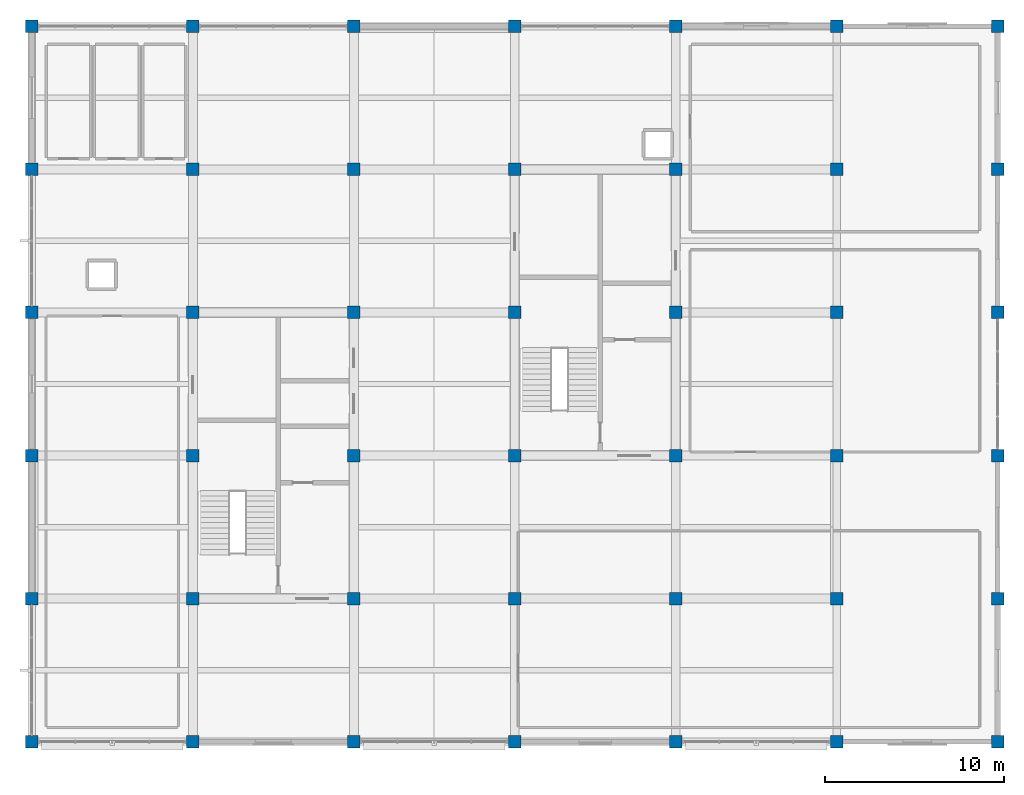
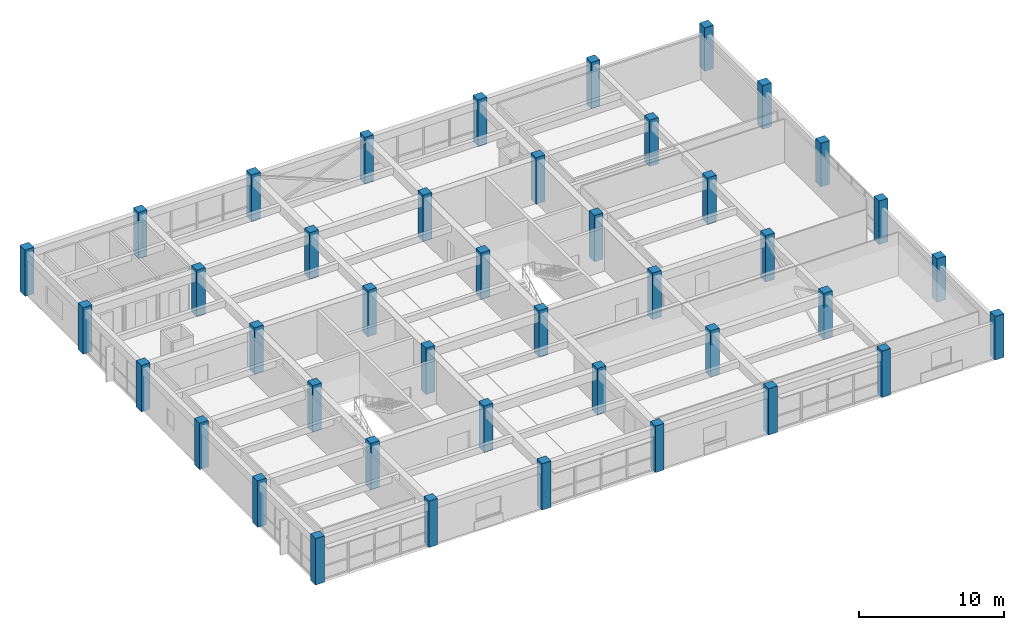
# One storey, part 1 of 13: 42 columns.
"""IFC4 building model written with IfcOpenShell, lengths in metres."""

from ifc_helpers import new_model, si_unit, direction, frame, origin, origin_2d, place, context, subcontext, project, spatial, rectangle, extrude, material, material_profile, profile_set, type_object, element, save


model = new_model("IFC4")

# Units and contexts
model_context = context("Model", 3, precision=1e-05, world=origin(), true_north=direction((0.0, 1.0)))
body_context = subcontext(model_context, "Body", "Model", "MODEL_VIEW")
ifc_project = project(units=[si_unit("LENGTHUNIT", "METRE"), si_unit("AREAUNIT", "SQUARE_METRE"), si_unit("VOLUMEUNIT", "CUBIC_METRE"), si_unit("PLANEANGLEUNIT", "RADIAN"), si_unit("MASSUNIT", "GRAM", prefix="KILO")], contexts=[model_context])

# Site, building, storey
site_placement = place(None, origin())
site = spatial("IfcSite", under=ifc_project, at=site_placement, CompositionType="ELEMENT")
building_placement = place(site_placement, origin())
building = spatial("IfcBuilding", under=site, at=building_placement, Name="Zaverband Oceanarium and Marine Research Institute", CompositionType="ELEMENT")
storey_placement = place(building_placement, frame((0.0, 0.0, 64.800048828125)))
storey = spatial("IfcBuildingStorey", under=building, at=storey_placement, Name="L16", CompositionType="ELEMENT", Elevation=64.800048828125)

# Columns
ifc_material = material(Name="Concrete C50/60", Category="concrete")
ifc_material_profile = material_profile(ifc_material, rectangle(XDim=0.699951171875, YDim=0.699951171875, at=origin_2d()), Name="RC700x700")
ifc_profile_set = profile_set([ifc_material_profile], Name="Concrete C50/60")
column_type = type_object("IfcColumnType", Name="COL-C700", PredefinedType="COLUMN", material=ifc_profile_set)
for number, where, z_axis, x_axis, name in (
    (1, (9.0, 72.0, 0.0), (0.0, 0.0, 1.0), (1.0, 0.0, 0.0), "Reinforced concrete column RC700x700 COL-C700"),
    (2, (9.0, 80.0, 0.0), (0.0, 0.0, 1.0), (1.0, 0.0, 0.0), "Reinforced concrete column RC700x700 COL-C700"),
    (3, (9.0, 88.0, 0.0), (0.0, 0.0, 1.0), (1.0, 0.0, 0.0), "Reinforced concrete column RC700x700 COL-C700"),
    (4, (9.0, 96.0, 0.0), (0.0, 0.0, 1.0), (1.0, 0.0, 0.0), "Reinforced concrete column RC700x700 COL-C700"),
    (5, (9.0, 104.0, 0.0), (0.0, 0.0, 1.0), (1.0, 0.0, 0.0), "Reinforced concrete column RC700x700 COL-C700"),
    (6, (9.0, 112.0, 0.0), (0.0, 0.0, 1.0), (1.0, 0.0, 0.0), "Reinforced concrete column RC700x700 COL-C700"),
    (7, (18.0, 72.0, 0.0), (0.0, 0.0, 1.0), (1.0, 0.0, 0.0), "Reinforced concrete column RC700x700 COL-C700"),
    (8, (18.0, 80.0, 0.0), (0.0, 0.0, 1.0), (1.0, 0.0, 0.0), "Reinforced concrete column RC700x700 COL-C700"),
    (9, (18.0, 88.0, 0.0), (0.0, 0.0, 1.0), (1.0, 0.0, 0.0), "Reinforced concrete column RC700x700 COL-C700"),
    (10, (18.0, 96.0, 0.0), (0.0, 0.0, 1.0), (1.0, 0.0, 0.0), "Reinforced concrete column RC700x700 COL-C700"),
    (11, (18.0, 104.0, 0.0), (0.0, 0.0, 1.0), (1.0, 0.0, 0.0), "Reinforced concrete column RC700x700 COL-C700"),
    (12, (18.0, 112.0, 0.0), (0.0, 0.0, 1.0), (1.0, 0.0, 0.0), "Reinforced concrete column RC700x700 COL-C700"),
    (13, (27.0, 72.0, 0.0), (0.0, 0.0, 1.0), (1.0, 0.0, 0.0), "Reinforced concrete column RC700x700 COL-C700"),
    (14, (27.0, 80.0, 0.0), (0.0, 0.0, 1.0), (1.0, 0.0, 0.0), "Reinforced concrete column RC700x700 COL-C700"),
    (15, (27.0, 88.0, 0.0), (0.0, 0.0, 1.0), (1.0, 0.0, 0.0), "Reinforced concrete column RC700x700 COL-C700"),
    (16, (27.0, 96.0, 0.0), (0.0, 0.0, 1.0), (1.0, 0.0, 0.0), "Reinforced concrete column RC700x700 COL-C700"),
    (17, (27.0, 104.0, 0.0), (0.0, 0.0, 1.0), (1.0, 0.0, 0.0), "Reinforced concrete column RC700x700 COL-C700"),
    (18, (27.0, 112.0, 0.0), (0.0, 0.0, 1.0), (1.0, 0.0, 0.0), "Reinforced concrete column RC700x700 COL-C700"),
    (19, (36.0, 72.0, 0.0), (0.0, 0.0, 1.0), (1.0, 0.0, 0.0), "Reinforced concrete column RC700x700 COL-C700"),
    (20, (36.0, 80.0, 0.0), (0.0, 0.0, 1.0), (1.0, 0.0, 0.0), "Reinforced concrete column RC700x700 COL-C700"),
    (21, (36.0, 88.0, 0.0), (0.0, 0.0, 1.0), (1.0, 0.0, 0.0), "Reinforced concrete column RC700x700 COL-C700"),
    (22, (36.0, 96.0, 0.0), (0.0, 0.0, 1.0), (1.0, 0.0, 0.0), "Reinforced concrete column RC700x700 COL-C700"),
    (23, (36.0, 104.0, 0.0), (0.0, 0.0, 1.0), (1.0, 0.0, 0.0), "Reinforced concrete column RC700x700 COL-C700"),
    (24, (36.0, 112.0, 0.0), (0.0, 0.0, 1.0), (1.0, 0.0, 0.0), "Reinforced concrete column RC700x700 COL-C700"),
    (25, (45.0, 72.0, 0.0), (0.0, 0.0, 1.0), (1.0, 0.0, 0.0), "Reinforced concrete column RC700x700 COL-C700"),
    (26, (45.0, 80.0, 0.0), (0.0, 0.0, 1.0), (1.0, 0.0, 0.0), "Reinforced concrete column RC700x700 COL-C700"),
    (27, (45.0, 88.0, 0.0), (0.0, 0.0, 1.0), (1.0, 0.0, 0.0), "Reinforced concrete column RC700x700 COL-C700"),
    (28, (45.0, 96.0, 0.0), (0.0, 0.0, 1.0), (1.0, 0.0, 0.0), "Reinforced concrete column RC700x700 COL-C700"),
    (29, (45.0, 104.0, 0.0), (0.0, 0.0, 1.0), (1.0, 0.0, 0.0), "Reinforced concrete column RC700x700 COL-C700"),
    (30, (45.0, 112.0, 0.0), (0.0, 0.0, 1.0), (1.0, 0.0, 0.0), "Reinforced concrete column RC700x700 COL-C700"),
    (31, (54.0, 72.0, 0.0), (0.0, 0.0, 1.0), (1.0, 0.0, 0.0), "Reinforced concrete column RC700x700 COL-C700"),
    (32, (54.0, 80.0, 0.0), (0.0, 0.0, 1.0), (1.0, 0.0, 0.0), "Reinforced concrete column RC700x700 COL-C700"),
    (33, (54.0, 88.0, 0.0), (0.0, 0.0, 1.0), (1.0, 0.0, 0.0), "Reinforced concrete column RC700x700 COL-C700"),
    (34, (54.0, 96.0, 0.0), (0.0, 0.0, 1.0), (1.0, 0.0, 0.0), "Reinforced concrete column RC700x700 COL-C700"),
    (35, (54.0, 104.0, 0.0), (0.0, 0.0, 1.0), (1.0, 0.0, 0.0), "Reinforced concrete column RC700x700 COL-C700"),
    (36, (54.0, 112.0, 0.0), (0.0, 0.0, 1.0), (1.0, 0.0, 0.0), "Reinforced concrete column RC700x700 COL-C700"),
):
    element("IfcColumn", number, at=place(storey_placement, frame(where, z_axis=z_axis, x_axis=x_axis)), inside=storey, type_object=column_type, Name=name, PredefinedType="COLUMN", context=body_context, shape_type="SweptSolid", body=[
        extrude(rectangle(XDim=0.699951171875, YDim=0.699951171875, at=origin_2d()), origin(), (0.0, 0.0, 1.0), 3.89990234375),
    ])
for number, where, z_axis, x_axis, name in (
    (37, (63.0, 72.0, 0.0), (0.0, 0.0, 1.0), (1.0, 0.0, 0.0), "Reinforced concrete column RC700x700 COL-C700"),
    (38, (63.0, 80.0, 0.0), (0.0, 0.0, 1.0), (1.0, 0.0, 0.0), "Reinforced concrete column RC700x700 COL-C700"),
    (39, (63.0, 88.0, 0.0), (0.0, 0.0, 1.0), (1.0, 0.0, 0.0), "Reinforced concrete column RC700x700 COL-C700"),
    (40, (63.0, 96.0, 0.0), (0.0, 0.0, 1.0), (1.0, 0.0, 0.0), "Reinforced concrete column RC700x700 COL-C700"),
    (41, (63.0, 104.0, 0.0), (0.0, 0.0, 1.0), (1.0, 0.0, 0.0), "Reinforced concrete column RC700x700 COL-C700"),
    (42, (63.0, 112.0, 0.0), (0.0, 0.0, 1.0), (1.0, 0.0, 0.0), "Reinforced concrete column RC700x700 COL-C700"),
):
    element("IfcColumn", number, at=place(storey_placement, frame(where, z_axis=z_axis, x_axis=x_axis)), inside=storey, type_object=column_type, Name=name, PredefinedType="COLUMN", context=body_context, shape_type="SweptSolid", body=[
        extrude(rectangle(XDim=0.699951171875, YDim=0.699951171875, at=origin_2d()), origin(), (0.0, 0.0, 1.0), 3.659912109375),
    ])

save(model, "model.ifc")
